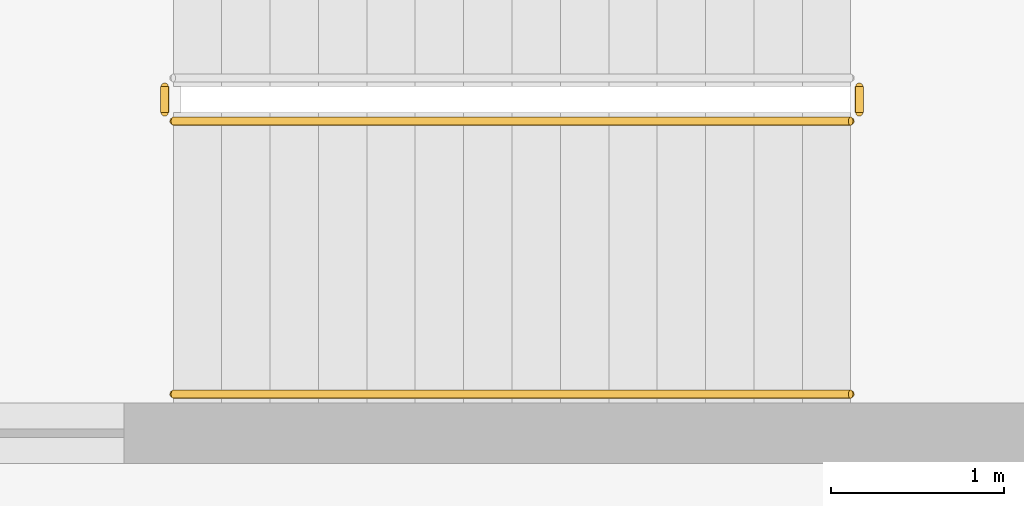
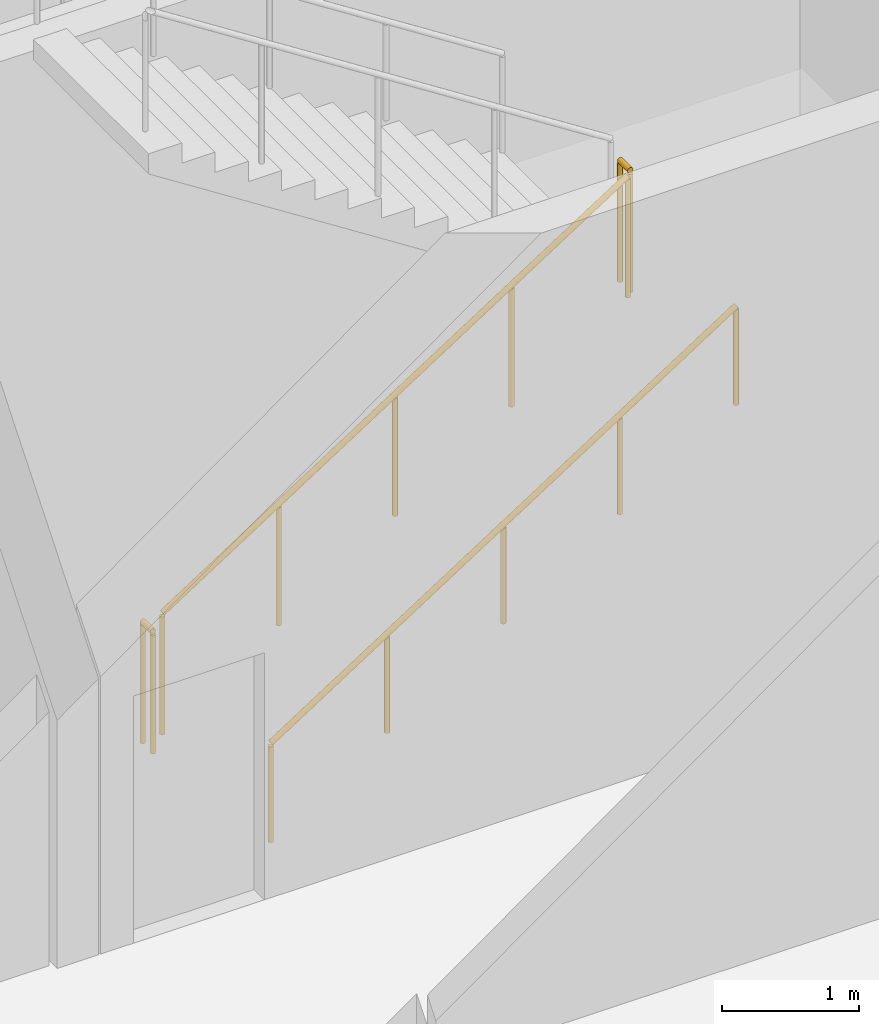
# One storey, part 31 of 36: 4 railings.
"""IFC4 building model written with IfcOpenShell, lengths in metres."""

from ifc_helpers import new_model, si_unit, direction, frame, origin, origin_2d, place, context, subcontext, project, spatial, circle, extrude, material, type_object, element, save


model = new_model("IFC4")

# Units and contexts
model_context = context("Model", 3, precision=1e-05, world=origin(), true_north=direction((0.0, 1.0)))
body_context = subcontext(model_context, "Body", "Model", "MODEL_VIEW")
ifc_project = project(units=[si_unit("LENGTHUNIT", "METRE"), si_unit("AREAUNIT", "SQUARE_METRE"), si_unit("VOLUMEUNIT", "CUBIC_METRE"), si_unit("PLANEANGLEUNIT", "RADIAN"), si_unit("MASSUNIT", "GRAM", prefix="KILO")], contexts=[model_context])

# Site, building, storey
site_placement = place(None, origin())
site = spatial("IfcSite", under=ifc_project, at=site_placement, CompositionType="ELEMENT")
building_placement = place(site_placement, origin())
building = spatial("IfcBuilding", under=site, at=building_placement, Name="Qorvath Tower", CompositionType="ELEMENT")
storey_placement = place(building_placement, frame((0.0, 0.0, 27.0)))
storey = spatial("IfcBuildingStorey", under=building, at=storey_placement, Name="L05", CompositionType="ELEMENT", Elevation=27.0)

# Railings
ifc_material_1 = material(Name="Painted galvanised steel", Category="steel")
railing_type_1 = type_object("IfcRailingType", Name="RL-STR-GRD", PredefinedType="GUARDRAIL", material=ifc_material_1)
railing_1_placement = place(storey_placement, frame((-22.669921875, -6.570068359375, 0.179931640625)))
element("IfcRailing", 1, at=railing_1_placement, inside=storey, type_object=railing_type_1, Name="L05 TS2 stair guard 1", PredefinedType="GUARDRAIL", context=body_context, shape_type="SweptSolid", body=[
    extrude(circle(Radius=0.02392578125, at=origin_2d()), frame((0.0, 0.0, 1.076171875), z_axis=(0.841171666519, 0.0, 0.540768182723), x_axis=(0.0, 1.0, 0.0)), (0.0, 0.0, 1.0), 4.66015625),
    extrude(circle(Radius=0.02099609375, at=origin_2d()), origin(), (0.0, 0.0, 1.0), 1.052001953125),
    extrude(circle(Radius=0.02099609375, at=origin_2d()), frame((0.97998046875, 0.0, 0.6298828125)), (0.0, 0.0, 1.0), 1.052001953125),
    extrude(circle(Radius=0.02099609375, at=origin_2d()), frame((1.9599609375, 0.0, 1.260009765625)), (0.0, 0.0, 1.0), 1.052001953125),
    extrude(circle(Radius=0.02099609375, at=origin_2d()), frame((2.93994140625, 0.0, 1.89013671875)), (0.0, 0.0, 1.0), 1.052001953125),
    extrude(circle(Radius=0.02099609375, at=origin_2d()), frame((3.919921875, 0.0, 2.52001953125)), (0.0, 0.0, 1.0), 1.052001953125),
])
for number, where, name in (
    (2, (-18.699951171875, -6.52001953125, 2.699951171875), "L05 TS2 stair guard 2"),
    (3, (-22.719970703125, -6.52001953125, 0.0), "L05 TS2 stair guard 4"),
):
    element("IfcRailing", number, at=place(storey_placement, frame(where)), inside=storey, type_object=railing_type_1, Name=name, PredefinedType="GUARDRAIL", context=body_context, shape_type="SweptSolid", body=[
        extrude(circle(Radius=0.02392578125, at=origin_2d()), frame((0.0, 0.0, 1.076171875), z_axis=(0.0, 1.0, 0.0), x_axis=(-1.0, 0.0, 0.0)), (0.0, 0.0, 1.0), 0.14990234375),
        extrude(circle(Radius=0.02099609375, at=origin_2d()), origin(), (0.0, 0.0, 1.0), 1.052001953125),
        extrude(circle(Radius=0.02099609375, at=origin_2d()), frame((0.0, 0.14990234375, 0.0)), (0.0, 0.0, 1.0), 1.052001953125),
    ])
ifc_material_2 = material(Name="Brushed stainless steel AISI 304", Category="steel")
railing_type_2 = type_object("IfcRailingType", Name="RL-STR-HND", PredefinedType="HANDRAIL", material=ifc_material_2)
railing_2_placement = place(storey_placement, frame((-22.669921875, -8.14990234375, 0.179931640625)))
element("IfcRailing", 4, at=railing_2_placement, inside=storey, type_object=railing_type_2, Name="L05 TS2 stair handrail 1", PredefinedType="HANDRAIL", context=body_context, shape_type="SweptSolid", body=[
    extrude(circle(Radius=0.02392578125, at=origin_2d()), frame((0.0, 0.0, 0.8759765625), z_axis=(0.841171666519, 0.0, 0.540768182723), x_axis=(0.0, 1.0, 0.0)), (0.0, 0.0, 1.0), 4.66015625),
    extrude(circle(Radius=0.02099609375, at=origin_2d()), origin(), (0.0, 0.0, 1.0), 0.851806640625),
    extrude(circle(Radius=0.02099609375, at=origin_2d()), frame((0.97998046875, 0.0, 0.6298828125)), (0.0, 0.0, 1.0), 0.851806640625),
    extrude(circle(Radius=0.02099609375, at=origin_2d()), frame((1.9599609375, 0.0, 1.260009765625)), (0.0, 0.0, 1.0), 0.851806640625),
    extrude(circle(Radius=0.02099609375, at=origin_2d()), frame((2.93994140625, 0.0, 1.89013671875)), (0.0, 0.0, 1.0), 0.851806640625),
    extrude(circle(Radius=0.02099609375, at=origin_2d()), frame((3.919921875, 0.0, 2.52001953125)), (0.0, 0.0, 1.0), 0.851806640625),
])

save(model, "model.ifc")
